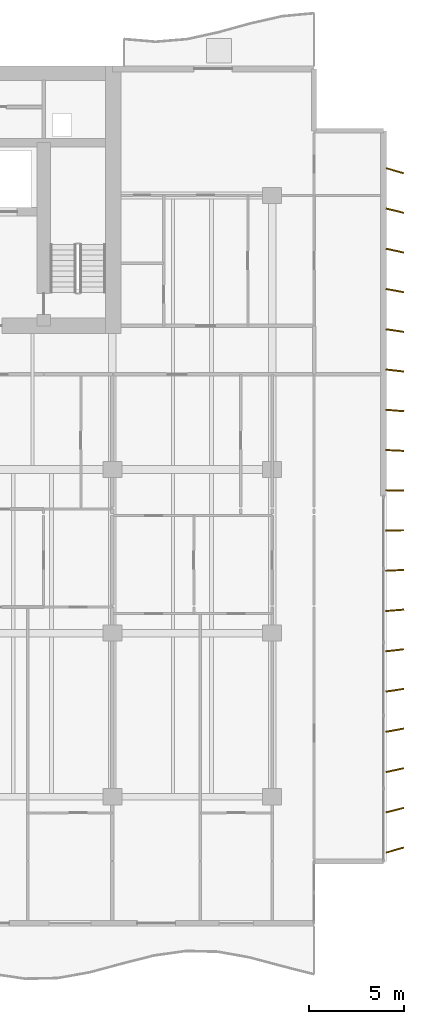
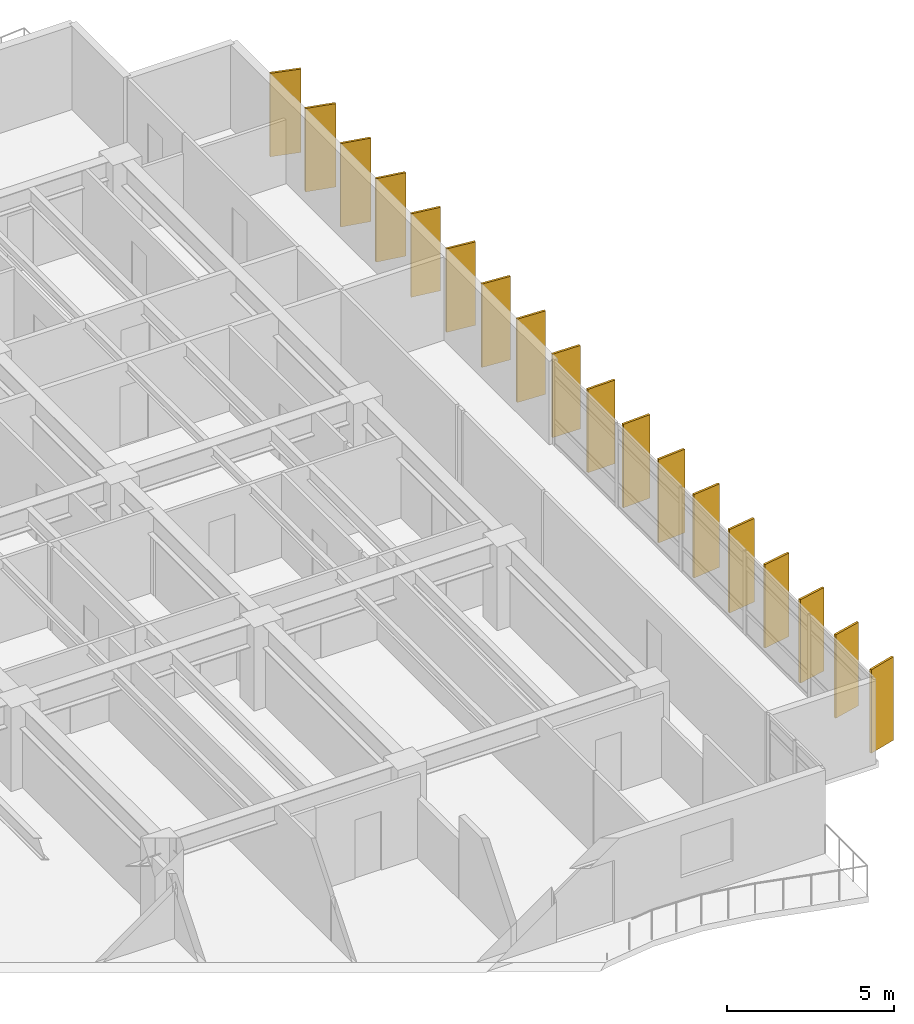
# One storey, part 17 of 17: 18 shading devices.
"""IFC4 building model written with IfcOpenShell, lengths in metres."""

from ifc_helpers import new_model, si_unit, direction, frame, origin, origin_2d, place, context, subcontext, project, spatial, rectangle, extrude, material, material_profile, profile_set, type_object, element, save


model = new_model("IFC4")

# Units and contexts
model_context = context("Model", 3, precision=1e-05, world=origin(), true_north=direction((0.0, 1.0)))
body_context = subcontext(model_context, "Body", "Model", "MODEL_VIEW")
ifc_project = project(units=[si_unit("LENGTHUNIT", "METRE"), si_unit("AREAUNIT", "SQUARE_METRE"), si_unit("VOLUMEUNIT", "CUBIC_METRE"), si_unit("PLANEANGLEUNIT", "RADIAN"), si_unit("MASSUNIT", "GRAM", prefix="KILO")], contexts=[model_context])

# Site, building, storey
site_placement = place(None, origin())
site = spatial("IfcSite", under=ifc_project, at=site_placement, CompositionType="ELEMENT")
building_placement = place(site_placement, origin())
building = spatial("IfcBuilding", under=site, at=building_placement, Name="Caelmar Bay Residences", CompositionType="ELEMENT")
storey_placement = place(building_placement, frame((0.0, 0.0, 87.89990234375)))
storey = spatial("IfcBuildingStorey", under=building, at=storey_placement, Name="L23", CompositionType="ELEMENT", Elevation=87.89990234375)

# Shading devices
ifc_material = material(Name="Anodised architectural bronze aluminium 6063-T6", Category="aluminium")
ifc_material_profile = material_profile(ifc_material, rectangle(XDim=0.074951171875, YDim=0.949951171875, at=origin_2d()), Name="BRONZE-FIN-75X950")
ifc_profile_set = profile_set([ifc_material_profile], Name="Anodised architectural bronze aluminium 6063-T6")
shading_device_type = type_object("IfcShadingDeviceType", Name="SHD-FIN-950", PredefinedType="USERDEFINED", material=ifc_profile_set)
for number, where, z_axis, x_axis, name in (
    (1, (74.35009765625, 9.39990234375, 0.0), (0.0, 0.0, 1.0), (-0.275637355817, 0.961261695938, 0.0), "L23 East Bronze Solar Fin 1"),
    (2, (74.35009765625, 11.5, 0.0), (0.0, 0.0, 1.0), (-0.243953546137, 0.969786918517, 0.0), "L23 East Bronze Solar Fin 2"),
    (3, (74.35009765625, 13.60009765625, 0.0), (0.0, 0.0, 1.0), (-0.212007109922, 0.977268123568, 0.0), "L23 East Bronze Solar Fin 3"),
    (4, (74.35009765625, 15.699951171875, 0.0), (0.0, 0.0, 1.0), (-0.179660748593, 0.98372862895, 0.0), "L23 East Bronze Solar Fin 4"),
    (5, (74.35009765625, 17.800048828125, 0.0), (0.0, 0.0, 1.0), (-0.147291543397, 0.989093120613, 0.0), "L23 East Bronze Solar Fin 5"),
    (6, (74.35009765625, 19.89990234375, 0.0), (0.0, 0.0, 1.0), (-0.114763772489, 0.993392810787, 0.0), "L23 East Bronze Solar Fin 6"),
    (7, (74.35009765625, 22.0, 0.0), (0.0, 0.0, 1.0), (-0.08211245342, 0.996623070671, 0.0), "L23 East Bronze Solar Fin 7"),
    (8, (74.35009765625, 24.10009765625, 0.0), (0.0, 0.0, 1.0), (-0.049198415926, 0.998789024705, 0.0), "L23 East Bronze Solar Fin 8"),
    (9, (74.35009765625, 26.199951171875, 0.0), (0.0, 0.0, 1.0), (-0.016405359001, 0.999865423043, 0.0), "L23 East Bronze Solar Fin 9"),
    (10, (74.35009765625, 28.300048828125, 0.0), (0.0, 0.0, 1.0), (0.016405359001, 0.999865423043, 0.0), "L23 East Bronze Solar Fin 10"),
    (11, (74.35009765625, 30.39990234375, 0.0), (0.0, 0.0, 1.0), (0.049198415926, 0.998789024705, 0.0), "L23 East Bronze Solar Fin 11"),
    (12, (74.35009765625, 32.5, 0.0), (0.0, 0.0, 1.0), (0.08211245342, 0.996623070671, 0.0), "L23 East Bronze Solar Fin 12"),
    (13, (74.35009765625, 34.60009765625, 0.0), (0.0, 0.0, 1.0), (0.114763772489, 0.993392810787, 0.0), "L23 East Bronze Solar Fin 13"),
    (14, (74.35009765625, 36.699951171875, 0.0), (0.0, 0.0, 1.0), (0.147291543397, 0.989093120613, 0.0), "L23 East Bronze Solar Fin 14"),
    (15, (74.35009765625, 38.800048828125, 0.0), (0.0, 0.0, 1.0), (0.179660748593, 0.98372862895, 0.0), "L23 East Bronze Solar Fin 15"),
    (16, (74.35009765625, 40.89990234375, 0.0), (0.0, 0.0, 1.0), (0.212007109922, 0.977268123568, 0.0), "L23 East Bronze Solar Fin 16"),
    (17, (74.35009765625, 43.0, 0.0), (0.0, 0.0, 1.0), (0.243953546137, 0.969786918517, 0.0), "L23 East Bronze Solar Fin 17"),
    (18, (74.35009765625, 45.10009765625, 0.0), (0.0, 0.0, 1.0), (0.275637355817, 0.961261695938, 0.0), "L23 East Bronze Solar Fin 18"),
):
    element("IfcShadingDevice", number, at=place(storey_placement, frame(where, z_axis=z_axis, x_axis=x_axis)), inside=storey, type_object=shading_device_type, Name=name, ObjectType="FIN", PredefinedType="USERDEFINED", context=body_context, shape_type="SweptSolid", body=[
        extrude(rectangle(XDim=0.074951171875, YDim=0.949951171875, at=origin_2d()), origin(), (0.0, 0.0, 1.0), 3.050048828125),
    ])

save(model, "model.ifc")
